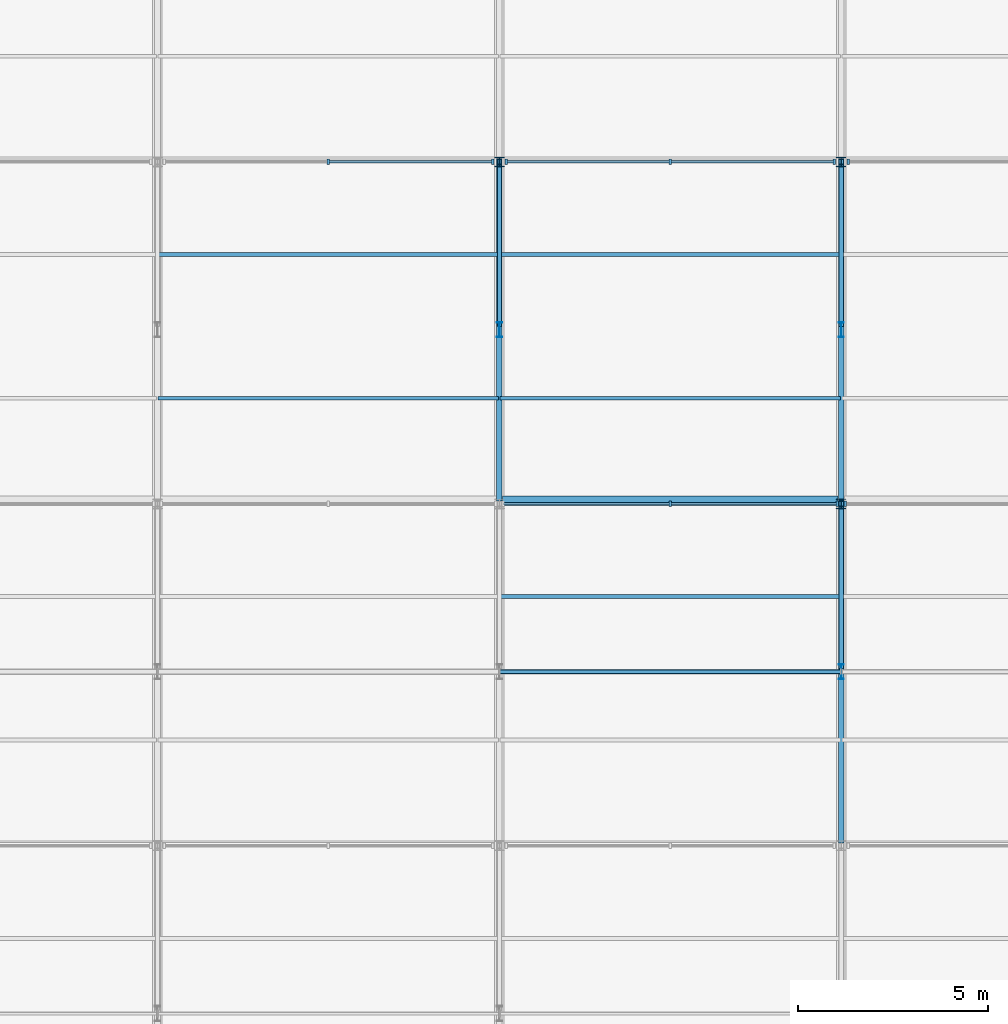
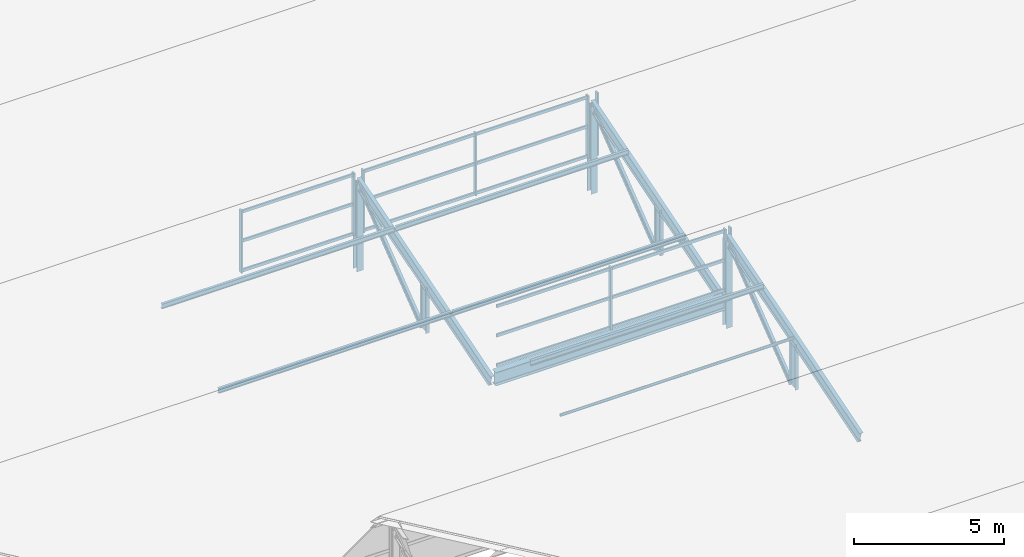
# One storey, part 70 of 163: 42 members, 1 beam, 5 elements without a shape of their own.
"""IFC4 building model written with IfcOpenShell, lengths in metres."""

from ifc_helpers import new_model, si_unit, direction, frame, origin, origin_2d, place, context, subcontext, project, spatial, rectangle, hollow_circle, i_section, extrude, material, material_profile, profile_set, type_object, element, aggregate, save


model = new_model("IFC4")

# Units and contexts
model_context = context("Model", 3, precision=1e-05, world=origin(), true_north=direction((0.0, 1.0)))
body_context = subcontext(model_context, "Body", "Model", "MODEL_VIEW")
ifc_project = project(units=[si_unit("LENGTHUNIT", "METRE"), si_unit("AREAUNIT", "SQUARE_METRE"), si_unit("VOLUMEUNIT", "CUBIC_METRE"), si_unit("PLANEANGLEUNIT", "RADIAN"), si_unit("MASSUNIT", "GRAM", prefix="KILO")], contexts=[model_context])

# Site, building, storey
site_placement = place(None, origin())
site = spatial("IfcSite", under=ifc_project, at=site_placement, CompositionType="ELEMENT")
building_placement = place(site_placement, origin())
building = spatial("IfcBuilding", under=site, at=building_placement, Name="Tharagai Park Tramway Depot", CompositionType="ELEMENT")
storey_placement = place(building_placement, frame((0.0, 0.0, 8.39990234375)))
storey = spatial("IfcBuildingStorey", under=building, at=storey_placement, Name="L02", CompositionType="ELEMENT", Elevation=8.39990234375)

# Beam
ifc_material_1 = material(Name="Steel E350", Category="steel")
ifc_material_profile_1 = material_profile(ifc_material_1, i_section(OverallWidth=0.25, OverallDepth=0.550048828125, WebThickness=0.010498046875, FlangeThickness=0.017578125, FilletRadius=0.01611328125, at=origin_2d()), Name="ISWB 550")
ifc_profile_set_1 = profile_set([ifc_material_profile_1], Name="Steel E350")
beam_type = type_object("IfcBeamType", Name="BM-04", PredefinedType="BEAM", material=ifc_profile_set_1)
beam_placement = place(storey_placement, frame((117.080078125, 117.0, 0.72509765625), z_axis=(1.0, 0.0, 0.0), x_axis=(0.0, 1.0, 0.0)))
element("IfcBeam", 1, at=beam_placement, inside=storey, type_object=beam_type, Name="Sawtooth Valley Girder BM-04", PredefinedType="BEAM", context=body_context, shape_type="SweptSolid", body=[
    extrude(i_section(OverallWidth=0.25, OverallDepth=0.550048828125, WebThickness=0.010498046875, FlangeThickness=0.017578125, FilletRadius=0.01611328125, at=origin_2d()), origin(), (0.0, 0.0, 1.0), 8.83984375),
])

# Members
ifc_material_profile_2 = material_profile(ifc_material_1, i_section(OverallWidth=0.25, OverallDepth=0.25, WebThickness=0.0087890625, FlangeThickness=0.009765625, FilletRadius=0.010009765625, at=origin_2d()), Name="ISHB 250")
ifc_profile_set_2 = profile_set([ifc_material_profile_2], Name="Steel E350")
member_type_1 = type_object("IfcMemberType", Name="BR-01", PredefinedType="BRACE", material=ifc_profile_set_2)
for number, where, z_axis, x_axis, name in (
    (2, (117.0, 125.919921875, -0.25), (0.0, 0.0, 1.0), (1.0, 0.0, 0.0), "Sawtooth North Vertical Post BR-01"),
    (3, (126.0, 116.919921875, -0.25), (0.0, 0.0, 1.0), (1.0, 0.0, 0.0), "Sawtooth North Vertical Post BR-01"),
    (4, (126.0, 125.919921875, -0.25), (0.0, 0.0, 1.0), (1.0, 0.0, 0.0), "Sawtooth North Vertical Post BR-01"),
):
    element("IfcMember", number, at=place(storey_placement, frame(where, z_axis=z_axis, x_axis=x_axis)), inside=storey, type_object=member_type_1, Name=name, PredefinedType="BRACE", context=body_context, shape_type="SweptSolid", body=[
        extrude(i_section(OverallWidth=0.25, OverallDepth=0.25, WebThickness=0.0087890625, FlangeThickness=0.009765625, FilletRadius=0.010009765625, at=origin_2d()), origin(), (0.0, 0.0, 1.0), 3.55517578125),
    ])
ifc_material_profile_3 = material_profile(ifc_material_1, i_section(OverallWidth=0.110107421875, OverallDepth=0.22509765625, WebThickness=0.006591796875, FlangeThickness=0.01171875, FilletRadius=0.011962890625, at=origin_2d()), Name="ISMB 225")
ifc_profile_set_3 = profile_set([ifc_material_profile_3], Name="Steel E350")
member_type_2 = type_object("IfcMemberType", Name="BR-04", PredefinedType="BRACE", material=ifc_profile_set_3)
for number, where, z_axis, x_axis, name in (
    (5, (117.0, 121.64990234375, 0.0), (0.0, 0.790781596, 0.612098413188), (-1.0, 0.0, 0.0), "Sawtooth Truss Web Diagonal BR-04"),
    (6, (126.0, 112.64990234375, 0.0), (0.0, 0.790781596, 0.612098413188), (-1.0, 0.0, 0.0), "Sawtooth Truss Web Diagonal BR-04"),
    (7, (126.0, 121.64990234375, 0.0), (0.0, 0.790781596, 0.612098413188), (-1.0, 0.0, 0.0), "Sawtooth Truss Web Diagonal BR-04"),
):
    element("IfcMember", number, at=place(storey_placement, frame(where, z_axis=z_axis, x_axis=x_axis)), inside=storey, type_object=member_type_2, Name=name, PredefinedType="BRACE", context=body_context, shape_type="SweptSolid", body=[
        extrude(i_section(OverallWidth=0.110107421875, OverallDepth=0.22509765625, WebThickness=0.006591796875, FlangeThickness=0.01171875, FilletRadius=0.011962890625, at=origin_2d()), origin(), (0.0, 0.0, 1.0), 5.399658203125),
    ])
ifc_material_2 = material(Name="Steel E250", Category="steel")
ifc_material_profile_4 = material_profile(ifc_material_2, hollow_circle(Radius=0.05712890625, WallThickness=0.0048828125, at=origin_2d()), Name="CHS 114.3x5")
ifc_profile_set_4 = profile_set([ifc_material_profile_4], Name="Steel E250")
member_type_3 = type_object("IfcMemberType", Name="BR-06", PredefinedType="BRACE", material=ifc_profile_set_4)
member_1_placement = place(storey_placement, frame((117.02001953125, 112.5, 1.946533203125), z_axis=(1.0, 0.0, 0.0), x_axis=(0.0, 1.0, 0.0)))
element("IfcMember", 8, at=member_1_placement, inside=storey, type_object=member_type_3, Name="Sawtooth Tubular Tie Strut BR-06", PredefinedType="BRACE", context=body_context, shape_type="SweptSolid", body=[
    extrude(hollow_circle(Radius=0.05712890625, WallThickness=0.0048828125, at=origin_2d()), origin(), (0.0, 0.0, 1.0), 8.9599609375),
])

# Curtain wall, members
ifc_material_3 = material(Name="Anodised aluminium", Category="aluminium")
curtain_wall_type_1 = type_object("IfcCurtainWallType", Name="CW-04", PredefinedType="NOTDEFINED", material=ifc_material_3)
curtain_wall_1_placement = place(storey_placement, origin())
curtain_wall_1 = element("IfcCurtainWall", 9, at=curtain_wall_1_placement, inside=storey, type_object=curtain_wall_type_1, Name="Sawtooth North-Light Clerestory CW-04", PredefinedType="NOTDEFINED")
ifc_material_profile_5 = material_profile(ifc_material_3, rectangle(XDim=0.06494140625, YDim=0.1201171875, at=origin_2d()), Name="ALU 65x120")
ifc_profile_set_5 = profile_set([ifc_material_profile_5], Name="Anodised aluminium")
member_type_4 = type_object("IfcMemberType", Name="CM-01", PredefinedType="USERDEFINED", material=ifc_profile_set_5)
member_2_placement = place(storey_placement, frame((117.114990234375, 116.919921875, 1.26513671875), z_axis=(1.0, 0.0, 0.0), x_axis=(0.0, 1.0, 0.0)))
member_2 = element("IfcMember", 10, at=member_2_placement, type_object=member_type_4, Name="Sawtooth North-Light Clerestory Transom 1.1", ObjectType="TRANSOM", PredefinedType="USERDEFINED", context=body_context, shape_type="SweptSolid", body=[
    extrude(rectangle(XDim=0.06494140625, YDim=0.1201171875, at=origin_2d()), origin(), (0.0, 0.0, 1.0), 4.3701171875),
])
member_3_placement = place(storey_placement, frame((117.114990234375, 116.919921875, 2.4736328125), z_axis=(1.0, 0.0, 0.0), x_axis=(0.0, 1.0, 0.0)))
member_3 = element("IfcMember", 11, at=member_3_placement, type_object=member_type_4, Name="Sawtooth North-Light Clerestory Transom 1.2", ObjectType="TRANSOM", PredefinedType="USERDEFINED", context=body_context, shape_type="SweptSolid", body=[
    extrude(rectangle(XDim=0.06494140625, YDim=0.1201171875, at=origin_2d()), origin(), (0.0, 0.0, 1.0), 4.3701171875),
])
member_4_placement = place(storey_placement, frame((117.114990234375, 116.919921875, 3.662353515625), z_axis=(1.0, 0.0, 0.0), x_axis=(0.0, 1.0, 0.0)))
member_4 = element("IfcMember", 12, at=member_4_placement, type_object=member_type_4, Name="Sawtooth North-Light Clerestory Transom 1.3", ObjectType="TRANSOM", PredefinedType="USERDEFINED", context=body_context, shape_type="SweptSolid", body=[
    extrude(rectangle(XDim=0.06494140625, YDim=0.1201171875, at=origin_2d()), origin(), (0.0, 0.0, 1.0), 4.3701171875),
])
member_5_placement = place(storey_placement, frame((121.514892578125, 116.919921875, 1.26513671875), z_axis=(1.0, 0.0, 0.0), x_axis=(0.0, 1.0, 0.0)))
member_5 = element("IfcMember", 13, at=member_5_placement, type_object=member_type_4, Name="Sawtooth North-Light Clerestory Transom 2.1", ObjectType="TRANSOM", PredefinedType="USERDEFINED", context=body_context, shape_type="SweptSolid", body=[
    extrude(rectangle(XDim=0.06494140625, YDim=0.1201171875, at=origin_2d()), origin(), (0.0, 0.0, 1.0), 4.3701171875),
])
member_6_placement = place(storey_placement, frame((121.514892578125, 116.919921875, 2.4736328125), z_axis=(1.0, 0.0, 0.0), x_axis=(0.0, 1.0, 0.0)))
member_6 = element("IfcMember", 14, at=member_6_placement, type_object=member_type_4, Name="Sawtooth North-Light Clerestory Transom 2.2", ObjectType="TRANSOM", PredefinedType="USERDEFINED", context=body_context, shape_type="SweptSolid", body=[
    extrude(rectangle(XDim=0.06494140625, YDim=0.1201171875, at=origin_2d()), origin(), (0.0, 0.0, 1.0), 4.3701171875),
])
member_7_placement = place(storey_placement, frame((121.514892578125, 116.919921875, 3.662353515625), z_axis=(1.0, 0.0, 0.0), x_axis=(0.0, 1.0, 0.0)))
member_7 = element("IfcMember", 15, at=member_7_placement, type_object=member_type_4, Name="Sawtooth North-Light Clerestory Transom 2.3", ObjectType="TRANSOM", PredefinedType="USERDEFINED", context=body_context, shape_type="SweptSolid", body=[
    extrude(rectangle(XDim=0.06494140625, YDim=0.1201171875, at=origin_2d()), origin(), (0.0, 0.0, 1.0), 4.3701171875),
])

curtain_wall_type_2 = type_object("IfcCurtainWallType", Name="CW-03", PredefinedType="NOTDEFINED", material=ifc_material_3)
curtain_wall_2_placement = place(storey_placement, origin())
curtain_wall_2 = element("IfcCurtainWall", 16, at=curtain_wall_2_placement, inside=storey, type_object=curtain_wall_type_2, Name="Sawtooth North-Light Clerestory CW-03", PredefinedType="NOTDEFINED")
member_8_placement = place(storey_placement, frame((112.514892578125, 125.919921875, 1.26513671875), z_axis=(1.0, 0.0, 0.0), x_axis=(0.0, 1.0, 0.0)))
member_8 = element("IfcMember", 17, at=member_8_placement, type_object=member_type_4, Name="Sawtooth North-Light Clerestory Transom 2.1", ObjectType="TRANSOM", PredefinedType="USERDEFINED", context=body_context, shape_type="SweptSolid", body=[
    extrude(rectangle(XDim=0.06494140625, YDim=0.1201171875, at=origin_2d()), origin(), (0.0, 0.0, 1.0), 4.2900390625),
])
member_9_placement = place(storey_placement, frame((112.514892578125, 125.919921875, 2.4736328125), z_axis=(1.0, 0.0, 0.0), x_axis=(0.0, 1.0, 0.0)))
member_9 = element("IfcMember", 18, at=member_9_placement, type_object=member_type_4, Name="Sawtooth North-Light Clerestory Transom 2.2", ObjectType="TRANSOM", PredefinedType="USERDEFINED", context=body_context, shape_type="SweptSolid", body=[
    extrude(rectangle(XDim=0.06494140625, YDim=0.1201171875, at=origin_2d()), origin(), (0.0, 0.0, 1.0), 4.2900390625),
])
member_10_placement = place(storey_placement, frame((112.514892578125, 125.919921875, 3.662353515625), z_axis=(1.0, 0.0, 0.0), x_axis=(0.0, 1.0, 0.0)))
member_10 = element("IfcMember", 19, at=member_10_placement, type_object=member_type_4, Name="Sawtooth North-Light Clerestory Transom 2.3", ObjectType="TRANSOM", PredefinedType="USERDEFINED", context=body_context, shape_type="SweptSolid", body=[
    extrude(rectangle(XDim=0.06494140625, YDim=0.1201171875, at=origin_2d()), origin(), (0.0, 0.0, 1.0), 4.2900390625),
])

curtain_wall_3_placement = place(storey_placement, origin())
curtain_wall_3 = element("IfcCurtainWall", 20, at=curtain_wall_3_placement, inside=storey, type_object=curtain_wall_type_2, Name="Sawtooth North-Light Clerestory CW-03", PredefinedType="NOTDEFINED")
member_11_placement = place(storey_placement, frame((117.195068359375, 125.919921875, 1.26513671875), z_axis=(1.0, 0.0, 0.0), x_axis=(0.0, 1.0, 0.0)))
member_11 = element("IfcMember", 21, at=member_11_placement, type_object=member_type_4, Name="Sawtooth North-Light Clerestory Transom 1.1", ObjectType="TRANSOM", PredefinedType="USERDEFINED", context=body_context, shape_type="SweptSolid", body=[
    extrude(rectangle(XDim=0.06494140625, YDim=0.1201171875, at=origin_2d()), origin(), (0.0, 0.0, 1.0), 4.2900390625),
])
member_12_placement = place(storey_placement, frame((117.195068359375, 125.919921875, 2.4736328125), z_axis=(1.0, 0.0, 0.0), x_axis=(0.0, 1.0, 0.0)))
member_12 = element("IfcMember", 22, at=member_12_placement, type_object=member_type_4, Name="Sawtooth North-Light Clerestory Transom 1.2", ObjectType="TRANSOM", PredefinedType="USERDEFINED", context=body_context, shape_type="SweptSolid", body=[
    extrude(rectangle(XDim=0.06494140625, YDim=0.1201171875, at=origin_2d()), origin(), (0.0, 0.0, 1.0), 4.2900390625),
])
member_13_placement = place(storey_placement, frame((117.195068359375, 125.919921875, 3.662353515625), z_axis=(1.0, 0.0, 0.0), x_axis=(0.0, 1.0, 0.0)))
member_13 = element("IfcMember", 23, at=member_13_placement, type_object=member_type_4, Name="Sawtooth North-Light Clerestory Transom 1.3", ObjectType="TRANSOM", PredefinedType="USERDEFINED", context=body_context, shape_type="SweptSolid", body=[
    extrude(rectangle(XDim=0.06494140625, YDim=0.1201171875, at=origin_2d()), origin(), (0.0, 0.0, 1.0), 4.2900390625),
])
member_14_placement = place(storey_placement, frame((121.514892578125, 125.919921875, 1.26513671875), z_axis=(1.0, 0.0, 0.0), x_axis=(0.0, 1.0, 0.0)))
member_14 = element("IfcMember", 24, at=member_14_placement, type_object=member_type_4, Name="Sawtooth North-Light Clerestory Transom 2.1", ObjectType="TRANSOM", PredefinedType="USERDEFINED", context=body_context, shape_type="SweptSolid", body=[
    extrude(rectangle(XDim=0.06494140625, YDim=0.1201171875, at=origin_2d()), origin(), (0.0, 0.0, 1.0), 4.2900390625),
])
member_15_placement = place(storey_placement, frame((121.514892578125, 125.919921875, 2.4736328125), z_axis=(1.0, 0.0, 0.0), x_axis=(0.0, 1.0, 0.0)))
member_15 = element("IfcMember", 25, at=member_15_placement, type_object=member_type_4, Name="Sawtooth North-Light Clerestory Transom 2.2", ObjectType="TRANSOM", PredefinedType="USERDEFINED", context=body_context, shape_type="SweptSolid", body=[
    extrude(rectangle(XDim=0.06494140625, YDim=0.1201171875, at=origin_2d()), origin(), (0.0, 0.0, 1.0), 4.2900390625),
])
member_16_placement = place(storey_placement, frame((121.514892578125, 125.919921875, 3.662353515625), z_axis=(1.0, 0.0, 0.0), x_axis=(0.0, 1.0, 0.0)))
member_16 = element("IfcMember", 26, at=member_16_placement, type_object=member_type_4, Name="Sawtooth North-Light Clerestory Transom 2.3", ObjectType="TRANSOM", PredefinedType="USERDEFINED", context=body_context, shape_type="SweptSolid", body=[
    extrude(rectangle(XDim=0.06494140625, YDim=0.1201171875, at=origin_2d()), origin(), (0.0, 0.0, 1.0), 4.2900390625),
])

# Member
ifc_material_profile_6 = material_profile(ifc_material_3, rectangle(XDim=0.06494140625, YDim=0.14990234375, at=origin_2d()), Name="ALU 65x150")
ifc_profile_set_6 = profile_set([ifc_material_profile_6], Name="Anodised aluminium")
member_type_5 = type_object("IfcMemberType", Name="CM-03", PredefinedType="MULLION", material=ifc_profile_set_6)
member_17_placement = place(storey_placement, frame((121.5, 116.919921875, 1.2001953125), z_axis=(0.0, 0.0, 1.0), x_axis=(1.0, 0.0, 0.0)))
member_17 = element("IfcMember", 27, at=member_17_placement, type_object=member_type_5, Name="Sawtooth North-Light Clerestory Mullion 2", PredefinedType="MULLION", context=body_context, shape_type="SweptSolid", body=[
    extrude(rectangle(XDim=0.06494140625, YDim=0.14990234375, at=origin_2d()), origin(), (0.0, 0.0, 1.0), 2.547119140625),
])

member_18_placement = place(storey_placement, frame((125.89990234375, 116.919921875, 1.2001953125), z_axis=(0.0, 0.0, 1.0), x_axis=(1.0, 0.0, 0.0)))
member_18 = element("IfcMember", 28, at=member_18_placement, type_object=member_type_5, Name="Sawtooth North-Light Clerestory Mullion 3", PredefinedType="MULLION", context=body_context, shape_type="SweptSolid", body=[
    extrude(rectangle(XDim=0.06494140625, YDim=0.14990234375, at=origin_2d()), origin(), (0.0, 0.0, 1.0), 2.547119140625),
])

aggregate(curtain_wall_1, [member_17, member_18, member_2, member_3, member_4, member_5, member_6, member_7])

# Curtain wall, member
curtain_wall_4_placement = place(storey_placement, origin())
curtain_wall_4 = element("IfcCurtainWall", 29, at=curtain_wall_4_placement, inside=storey, type_object=curtain_wall_type_1, Name="Sawtooth North-Light Clerestory CW-04", PredefinedType="NOTDEFINED")
member_19_placement = place(storey_placement, frame((126.10009765625, 116.919921875, 1.2001953125), z_axis=(0.0, 0.0, 1.0), x_axis=(1.0, 0.0, 0.0)))
member_19 = element("IfcMember", 30, at=member_19_placement, type_object=member_type_5, Name="Sawtooth North-Light Clerestory Mullion 1", PredefinedType="MULLION", context=body_context, shape_type="SweptSolid", body=[
    extrude(rectangle(XDim=0.06494140625, YDim=0.14990234375, at=origin_2d()), origin(), (0.0, 0.0, 1.0), 2.547119140625),
])
aggregate(curtain_wall_4, [member_19])

# Member
member_20_placement = place(storey_placement, frame((112.5, 125.919921875, 1.2001953125), z_axis=(0.0, 0.0, 1.0), x_axis=(1.0, 0.0, 0.0)))
member_20 = element("IfcMember", 31, at=member_20_placement, type_object=member_type_5, Name="Sawtooth North-Light Clerestory Mullion 2", PredefinedType="MULLION", context=body_context, shape_type="SweptSolid", body=[
    extrude(rectangle(XDim=0.06494140625, YDim=0.14990234375, at=origin_2d()), origin(), (0.0, 0.0, 1.0), 2.547119140625),
])

member_21_placement = place(storey_placement, frame((116.820068359375, 125.919921875, 1.2001953125), z_axis=(0.0, 0.0, 1.0), x_axis=(1.0, 0.0, 0.0)))
member_21 = element("IfcMember", 32, at=member_21_placement, type_object=member_type_5, Name="Sawtooth North-Light Clerestory Mullion 3", PredefinedType="MULLION", context=body_context, shape_type="SweptSolid", body=[
    extrude(rectangle(XDim=0.06494140625, YDim=0.14990234375, at=origin_2d()), origin(), (0.0, 0.0, 1.0), 2.547119140625),
])

aggregate(curtain_wall_2, [member_20, member_21, member_8, member_9, member_10])

member_22_placement = place(storey_placement, frame((117.179931640625, 125.919921875, 1.2001953125), z_axis=(0.0, 0.0, 1.0), x_axis=(1.0, 0.0, 0.0)))
member_22 = element("IfcMember", 33, at=member_22_placement, type_object=member_type_5, Name="Sawtooth North-Light Clerestory Mullion 1", PredefinedType="MULLION", context=body_context, shape_type="SweptSolid", body=[
    extrude(rectangle(XDim=0.06494140625, YDim=0.14990234375, at=origin_2d()), origin(), (0.0, 0.0, 1.0), 2.547119140625),
])

member_23_placement = place(storey_placement, frame((121.5, 125.919921875, 1.2001953125), z_axis=(0.0, 0.0, 1.0), x_axis=(1.0, 0.0, 0.0)))
member_23 = element("IfcMember", 34, at=member_23_placement, type_object=member_type_5, Name="Sawtooth North-Light Clerestory Mullion 2", PredefinedType="MULLION", context=body_context, shape_type="SweptSolid", body=[
    extrude(rectangle(XDim=0.06494140625, YDim=0.14990234375, at=origin_2d()), origin(), (0.0, 0.0, 1.0), 2.547119140625),
])

member_24_placement = place(storey_placement, frame((125.820068359375, 125.919921875, 1.2001953125), z_axis=(0.0, 0.0, 1.0), x_axis=(1.0, 0.0, 0.0)))
member_24 = element("IfcMember", 35, at=member_24_placement, type_object=member_type_5, Name="Sawtooth North-Light Clerestory Mullion 3", PredefinedType="MULLION", context=body_context, shape_type="SweptSolid", body=[
    extrude(rectangle(XDim=0.06494140625, YDim=0.14990234375, at=origin_2d()), origin(), (0.0, 0.0, 1.0), 2.547119140625),
])

aggregate(curtain_wall_3, [member_22, member_23, member_24, member_11, member_12, member_13, member_14, member_15, member_16])

# Curtain wall, member
curtain_wall_5_placement = place(storey_placement, origin())
curtain_wall_5 = element("IfcCurtainWall", 36, at=curtain_wall_5_placement, inside=storey, type_object=curtain_wall_type_2, Name="Sawtooth North-Light Clerestory CW-03", PredefinedType="NOTDEFINED")
member_25_placement = place(storey_placement, frame((126.179931640625, 125.919921875, 1.2001953125), z_axis=(0.0, 0.0, 1.0), x_axis=(1.0, 0.0, 0.0)))
member_25 = element("IfcMember", 37, at=member_25_placement, type_object=member_type_5, Name="Sawtooth North-Light Clerestory Mullion 1", PredefinedType="MULLION", context=body_context, shape_type="SweptSolid", body=[
    extrude(rectangle(XDim=0.06494140625, YDim=0.14990234375, at=origin_2d()), origin(), (0.0, 0.0, 1.0), 2.547119140625),
])
aggregate(curtain_wall_5, [member_25])

# Members
ifc_material_profile_7 = material_profile(ifc_material_2, i_section(OverallWidth=0.10009765625, OverallDepth=0.199951171875, WebThickness=0.00537109375, FlangeThickness=0.00732421875, FilletRadius=0.009033203125, at=origin_2d()), Name="ISLB 200")
ifc_profile_set_7 = profile_set([ifc_material_profile_7], Name="Steel E250")
member_type_6 = type_object("IfcMemberType", Name="PR-03", PredefinedType="PURLIN", material=ifc_profile_set_7)
for number, where, z_axis, x_axis, name in (
    (38, (108.02001953125, 119.699951171875, 1.733154296875), (1.0, 0.0, 0.0), (0.0, 1.0, 0.0), "Sawtooth Roof Purlin PR-03"),
    (39, (108.02001953125, 123.47998046875, 2.87451171875), (1.0, 0.0, 0.0), (0.0, 1.0, 0.0), "Sawtooth Roof Purlin PR-03"),
    (40, (117.02001953125, 119.699951171875, 1.733154296875), (1.0, 0.0, 0.0), (0.0, 1.0, 0.0), "Sawtooth Roof Purlin PR-03"),
    (41, (117.02001953125, 123.47998046875, 2.87451171875), (1.0, 0.0, 0.0), (0.0, 1.0, 0.0), "Sawtooth Roof Purlin PR-03"),
):
    element("IfcMember", number, at=place(storey_placement, frame(where, z_axis=z_axis, x_axis=x_axis)), inside=storey, type_object=member_type_6, Name=name, PredefinedType="PURLIN", context=body_context, shape_type="SweptSolid", body=[
        extrude(i_section(OverallWidth=0.10009765625, OverallDepth=0.199951171875, WebThickness=0.00537109375, FlangeThickness=0.00732421875, FilletRadius=0.009033203125, at=origin_2d()), origin(), (0.0, 0.0, 1.0), 8.9599609375),
    ])
ifc_material_profile_8 = material_profile(ifc_material_2, i_section(OverallWidth=0.10009765625, OverallDepth=0.199951171875, WebThickness=0.005615234375, FlangeThickness=0.0107421875, FilletRadius=0.010986328125, at=origin_2d()), Name="ISMB 200")
ifc_profile_set_8 = profile_set([ifc_material_profile_8], Name="Steel E250")
member_type_7 = type_object("IfcMemberType", Name="PR-04", PredefinedType="PURLIN", material=ifc_profile_set_8)
member_26_placement = place(storey_placement, frame((117.02001953125, 114.47998046875, 2.87451171875), z_axis=(1.0, 0.0, 0.0), x_axis=(0.0, 1.0, 0.0)))
element("IfcMember", 42, at=member_26_placement, inside=storey, type_object=member_type_7, Name="Sawtooth Roof Purlin PR-04", PredefinedType="PURLIN", context=body_context, shape_type="SweptSolid", body=[
    extrude(i_section(OverallWidth=0.10009765625, OverallDepth=0.199951171875, WebThickness=0.005615234375, FlangeThickness=0.0107421875, FilletRadius=0.010986328125, at=origin_2d()), origin(), (0.0, 0.0, 1.0), 8.9599609375),
])
ifc_material_profile_9 = material_profile(ifc_material_1, i_section(OverallWidth=0.14990234375, OverallDepth=0.449951171875, WebThickness=0.009521484375, FlangeThickness=0.017333984375, FilletRadius=0.014892578125, at=origin_2d()), Name="ISMB 450")
ifc_profile_set_9 = profile_set([ifc_material_profile_9], Name="Steel E350")
member_type_8 = type_object("IfcMemberType", Name="TC-05", PredefinedType="CHORD", material=ifc_profile_set_9)
for number, where, z_axis, x_axis, name in (
    (43, (117.0, 117.06005859375, 0.587890625), (0.0, 0.956231486327, 0.29261125159), (-1.0, 0.0, 0.0), "Sawtooth Top Chord TC-05"),
    (44, (126.0, 108.06005859375, 0.587890625), (0.0, 0.956231486327, 0.29261125159), (-1.0, 0.0, 0.0), "Sawtooth Top Chord TC-05"),
    (45, (126.0, 117.06005859375, 0.587890625), (0.0, 0.956231486327, 0.29261125159), (-1.0, 0.0, 0.0), "Sawtooth Top Chord TC-05"),
):
    element("IfcMember", number, at=place(storey_placement, frame(where, z_axis=z_axis, x_axis=x_axis)), inside=storey, type_object=member_type_8, Name=name, PredefinedType="CHORD", context=body_context, shape_type="SweptSolid", body=[
        extrude(i_section(OverallWidth=0.14990234375, OverallDepth=0.449951171875, WebThickness=0.009521484375, FlangeThickness=0.017333984375, FilletRadius=0.014892578125, at=origin_2d()), origin(), (0.0, 0.0, 1.0), 9.286376953125),
    ])
ifc_material_profile_10 = material_profile(ifc_material_1, i_section(OverallWidth=0.139892578125, OverallDepth=0.39990234375, WebThickness=0.0087890625, FlangeThickness=0.01611328125, FilletRadius=0.013916015625, at=origin_2d()), Name="ISMB 400")
ifc_profile_set_10 = profile_set([ifc_material_profile_10], Name="Steel E350")
member_type_9 = type_object("IfcMemberType", Name="TC-06", PredefinedType="CHORD", material=ifc_profile_set_10)
for number, where, z_axis, x_axis, name in (
    (46, (117.0, 121.5, -0.0498046875), (0.0, 0.0, 1.0), (1.0, 0.0, 0.0), "Sawtooth Mid-Tooth Strut TC-06"),
    (47, (126.0, 112.5, -0.0498046875), (0.0, 0.0, 1.0), (1.0, 0.0, 0.0), "Sawtooth Mid-Tooth Strut TC-06"),
    (48, (126.0, 121.5, -0.0498046875), (0.0, 0.0, 1.0), (1.0, 0.0, 0.0), "Sawtooth Mid-Tooth Strut TC-06"),
):
    element("IfcMember", number, at=place(storey_placement, frame(where, z_axis=z_axis, x_axis=x_axis)), inside=storey, type_object=member_type_9, Name=name, PredefinedType="CHORD", context=body_context, shape_type="SweptSolid", body=[
        extrude(i_section(OverallWidth=0.139892578125, OverallDepth=0.39990234375, WebThickness=0.0087890625, FlangeThickness=0.01611328125, FilletRadius=0.013916015625, at=origin_2d()), origin(), (0.0, 0.0, 1.0), 1.846435546875),
    ])

save(model, "model.ifc")
